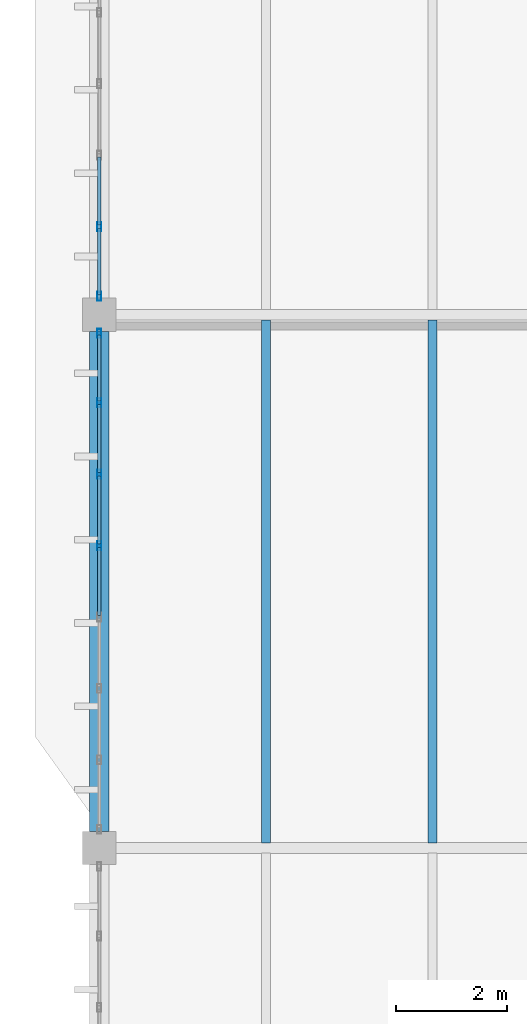
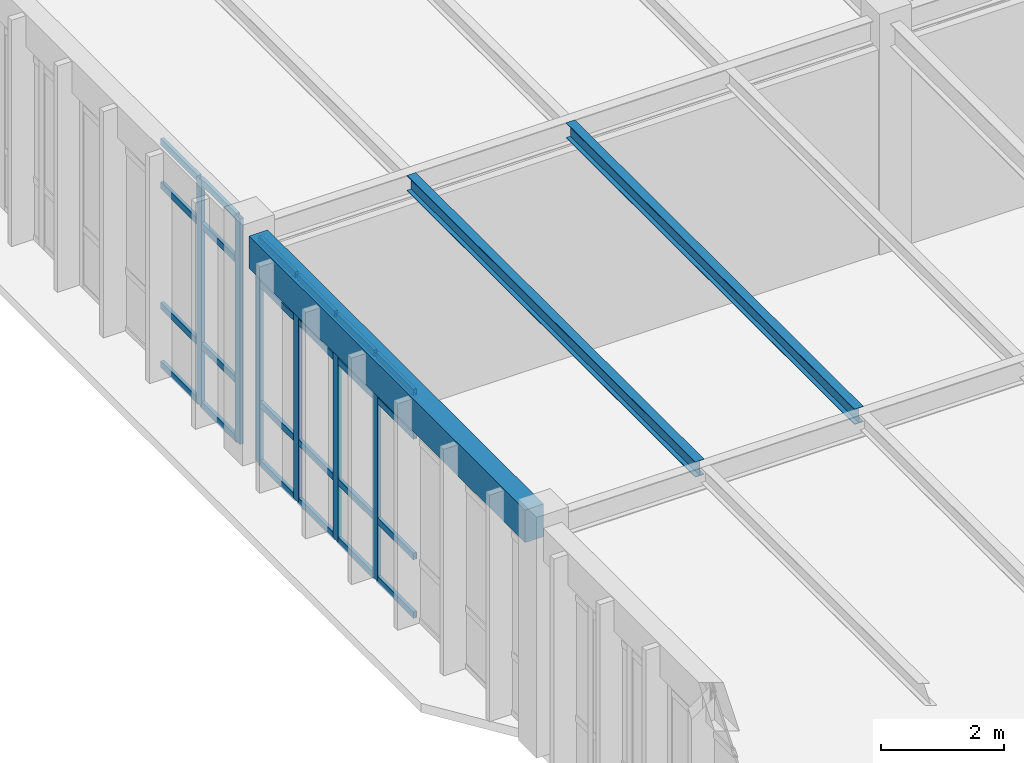
# One storey, part 118 of 236: 30 members, 3 beams, 2 elements without a shape of their own.
"""IFC4 building model written with IfcOpenShell, lengths in metres."""

from ifc_helpers import new_model, si_unit, direction, frame, origin, origin_2d, place, context, subcontext, project, spatial, rectangle, hollow_rectangle, i_section, extrude, material, layer, layer_set, material_profile, profile_set, type_object, element, aggregate, save


model = new_model("IFC4")

# Units and contexts
model_context = context("Model", 3, precision=1e-05, world=origin(), true_north=direction((0.0, 1.0)))
body_context = subcontext(model_context, "Body", "Model", "MODEL_VIEW")
ifc_project = project(units=[si_unit("LENGTHUNIT", "METRE"), si_unit("AREAUNIT", "SQUARE_METRE"), si_unit("VOLUMEUNIT", "CUBIC_METRE"), si_unit("PLANEANGLEUNIT", "RADIAN"), si_unit("MASSUNIT", "GRAM", prefix="KILO")], contexts=[model_context])

# Site, building, storey
site_placement = place(None, origin())
site = spatial("IfcSite", under=ifc_project, at=site_placement, CompositionType="ELEMENT")
building_placement = place(site_placement, origin())
building = spatial("IfcBuilding", under=site, at=building_placement, Name="Pandanus Reach Market Hall", CompositionType="ELEMENT")
storey_placement = place(building_placement, frame((0.0, 0.0, 5.39990234375)))
storey = spatial("IfcBuildingStorey", under=building, at=storey_placement, Name="L01", CompositionType="ELEMENT", Elevation=5.39990234375)

# Beam
ifc_material_1 = material(Name="Concrete N40 (40 MPa)", Category="concrete")
ifc_material_profile_1 = material_profile(ifc_material_1, rectangle(XDim=0.35009765625, YDim=0.64990234375, at=origin_2d()), Name="RC350x650", Category="LoadBearing")
ifc_profile_set_1 = profile_set([ifc_material_profile_1], Name="Concrete N40 (40 MPa)")
beam_type_1 = type_object("IfcBeamType", Name="BM-RC350-E", PredefinedType="SPANDREL", material=ifc_profile_set_1)
beam_placement = place(storey_placement, frame((144.0, 19.498046875, 4.215087890625), z_axis=(0.0, 1.0, 0.0), x_axis=(-1.0, 0.0, 0.0)))
element("IfcBeam", 1, at=beam_placement, inside=storey, type_object=beam_type_1, Name="Framing beam BM-RC350-E L01.337", PredefinedType="SPANDREL", context=body_context, shape_type="SweptSolid", body=[
    extrude(rectangle(XDim=0.35009765625, YDim=0.64990234375, at=origin_2d()), origin(), (0.0, 0.0, 1.0), 9.00390625),
])

# Curtain wall, members
ifc_material_2 = material(Name="Bronze anodised aluminium and low-E glass", Category="aluminium")
ifc_layer = layer(ifc_material_2, 0.159912109375, Name="CW-29")
ifc_layer_set = layer_set([ifc_layer], Name="Bronze anodised aluminium and low-E glass")
curtain_wall_type = type_object("IfcCurtainWallType", Name="CW-29", PredefinedType="NOTDEFINED", material=ifc_layer_set)
curtain_wall_1_placement = place(storey_placement, origin())
curtain_wall_1 = element("IfcCurtainWall", 2, at=curtain_wall_1_placement, inside=storey, type_object=curtain_wall_type, Name="Glazed curtain wall CW-29 CW-0092", PredefinedType="NOTDEFINED")
ifc_material_3 = material(Name="Bronze anodised aluminium", Category="aluminium")
ifc_material_profile_2 = material_profile(ifc_material_3, hollow_rectangle(XDim=0.06494140625, YDim=0.159912109375, WallThickness=0.00390625, at=origin_2d()), Name="ALU65x160", Category="LoadBearing")
ifc_profile_set_2 = profile_set([ifc_material_profile_2], Name="Bronze anodised aluminium")
member_type_1 = type_object("IfcMemberType", Name="CW-M1", PredefinedType="MULLION", material=ifc_profile_set_2)
member_1_placement = place(storey_placement, frame((144.0, 24.642822265625, 0.0), z_axis=(0.0, 0.0, 1.0), x_axis=(-1.0, 0.0, 0.0)))
member_1 = element("IfcMember", 3, at=member_1_placement, type_object=member_type_1, Name="CW-29 mullion 5", PredefinedType="MULLION", context=body_context, shape_type="SweptSolid", body=[
    extrude(hollow_rectangle(XDim=0.06494140625, YDim=0.159912109375, WallThickness=0.00390625, at=origin_2d()), origin(), (0.0, 0.0, 1.0), 4.5),
])
member_2_placement = place(storey_placement, frame((144.0, 25.928466796875, 0.0), z_axis=(0.0, 0.0, 1.0), x_axis=(-1.0, 0.0, 0.0)))
member_2 = element("IfcMember", 4, at=member_2_placement, type_object=member_type_1, Name="CW-29 mullion 6", PredefinedType="MULLION", context=body_context, shape_type="SweptSolid", body=[
    extrude(hollow_rectangle(XDim=0.06494140625, YDim=0.159912109375, WallThickness=0.00390625, at=origin_2d()), origin(), (0.0, 0.0, 1.0), 4.5),
])
member_3_placement = place(storey_placement, frame((144.0, 27.21435546875, 0.0), z_axis=(0.0, 0.0, 1.0), x_axis=(-1.0, 0.0, 0.0)))
member_3 = element("IfcMember", 5, at=member_3_placement, type_object=member_type_1, Name="CW-29 mullion 7", PredefinedType="MULLION", context=body_context, shape_type="SweptSolid", body=[
    extrude(hollow_rectangle(XDim=0.06494140625, YDim=0.159912109375, WallThickness=0.00390625, at=origin_2d()), origin(), (0.0, 0.0, 1.0), 4.5),
])
member_4_placement = place(storey_placement, frame((144.0, 28.467529296875, 0.0), z_axis=(0.0, 0.0, 1.0), x_axis=(-1.0, 0.0, 0.0)))
member_4 = element("IfcMember", 6, at=member_4_placement, type_object=member_type_1, Name="CW-29 mullion 8", PredefinedType="MULLION", context=body_context, shape_type="SweptSolid", body=[
    extrude(hollow_rectangle(XDim=0.06494140625, YDim=0.159912109375, WallThickness=0.00390625, at=origin_2d()), origin(), (0.0, 0.0, 1.0), 4.5),
])

curtain_wall_2_placement = place(storey_placement, origin())
curtain_wall_2 = element("IfcCurtainWall", 7, at=curtain_wall_2_placement, inside=storey, type_object=curtain_wall_type, Name="Glazed curtain wall CW-29 CW-0093", PredefinedType="NOTDEFINED")
member_5_placement = place(storey_placement, frame((144.0, 29.132568359375, 0.0), z_axis=(0.0, 0.0, 1.0), x_axis=(-1.0, 0.0, 0.0)))
member_5 = element("IfcMember", 8, at=member_5_placement, type_object=member_type_1, Name="CW-29 mullion 1", PredefinedType="MULLION", context=body_context, shape_type="SweptSolid", body=[
    extrude(hollow_rectangle(XDim=0.06494140625, YDim=0.159912109375, WallThickness=0.00390625, at=origin_2d()), origin(), (0.0, 0.0, 1.0), 4.5),
])
member_6_placement = place(storey_placement, frame((144.0, 30.3857421875, 0.0), z_axis=(0.0, 0.0, 1.0), x_axis=(-1.0, 0.0, 0.0)))
member_6 = element("IfcMember", 9, at=member_6_placement, type_object=member_type_1, Name="CW-29 mullion 2", PredefinedType="MULLION", context=body_context, shape_type="SweptSolid", body=[
    extrude(hollow_rectangle(XDim=0.06494140625, YDim=0.159912109375, WallThickness=0.00390625, at=origin_2d()), origin(), (0.0, 0.0, 1.0), 4.5),
])

# Member
ifc_material_profile_3 = material_profile(ifc_material_3, hollow_rectangle(XDim=0.06494140625, YDim=0.1298828125, WallThickness=0.00390625, at=origin_2d()), Name="ALU65x130", Category="LoadBearing")
ifc_profile_set_3 = profile_set([ifc_material_profile_3], Name="Bronze anodised aluminium")
member_type_2 = type_object("IfcMemberType", Name="CW-T1", PredefinedType="USERDEFINED", material=ifc_profile_set_3)
member_7_placement = place(storey_placement, frame((144.0, 23.3896484375, 0.03271484375), z_axis=(0.0, 1.0, 0.0), x_axis=(-1.0, 0.0, 0.0)))
member_7 = element("IfcMember", 10, at=member_7_placement, type_object=member_type_2, Name="CW-29 transom 4.1", ObjectType="TRANSOM", PredefinedType="USERDEFINED", context=body_context, shape_type="SweptSolid", body=[
    extrude(hollow_rectangle(XDim=0.06494140625, YDim=0.1298828125, WallThickness=0.00390625, at=origin_2d()), origin(), (0.0, 0.0, 1.0), 1.220703125),
])

member_8_placement = place(storey_placement, frame((144.0, 23.3896484375, 1.2001953125), z_axis=(0.0, 1.0, 0.0), x_axis=(-1.0, 0.0, 0.0)))
member_8 = element("IfcMember", 11, at=member_8_placement, type_object=member_type_2, Name="CW-29 transom 4.2", ObjectType="TRANSOM", PredefinedType="USERDEFINED", context=body_context, shape_type="SweptSolid", body=[
    extrude(hollow_rectangle(XDim=0.06494140625, YDim=0.1298828125, WallThickness=0.00390625, at=origin_2d()), origin(), (0.0, 0.0, 1.0), 1.220703125),
])

member_9_placement = place(storey_placement, frame((144.0, 23.3896484375, 3.60009765625), z_axis=(0.0, 1.0, 0.0), x_axis=(-1.0, 0.0, 0.0)))
member_9 = element("IfcMember", 12, at=member_9_placement, type_object=member_type_2, Name="CW-29 transom 4.3", ObjectType="TRANSOM", PredefinedType="USERDEFINED", context=body_context, shape_type="SweptSolid", body=[
    extrude(hollow_rectangle(XDim=0.06494140625, YDim=0.1298828125, WallThickness=0.00390625, at=origin_2d()), origin(), (0.0, 0.0, 1.0), 1.220703125),
])

member_10_placement = place(storey_placement, frame((144.0, 23.3896484375, 4.467529296875), z_axis=(0.0, 1.0, 0.0), x_axis=(-1.0, 0.0, 0.0)))
member_10 = element("IfcMember", 13, at=member_10_placement, type_object=member_type_2, Name="CW-29 transom 4.4", ObjectType="TRANSOM", PredefinedType="USERDEFINED", context=body_context, shape_type="SweptSolid", body=[
    extrude(hollow_rectangle(XDim=0.06494140625, YDim=0.1298828125, WallThickness=0.00390625, at=origin_2d()), origin(), (0.0, 0.0, 1.0), 1.220703125),
])

member_11_placement = place(storey_placement, frame((144.0, 24.67529296875, 0.03271484375), z_axis=(0.0, 1.0, 0.0), x_axis=(-1.0, 0.0, 0.0)))
member_11 = element("IfcMember", 14, at=member_11_placement, type_object=member_type_2, Name="CW-29 transom 5.1", ObjectType="TRANSOM", PredefinedType="USERDEFINED", context=body_context, shape_type="SweptSolid", body=[
    extrude(hollow_rectangle(XDim=0.06494140625, YDim=0.1298828125, WallThickness=0.00390625, at=origin_2d()), origin(), (0.0, 0.0, 1.0), 1.220703125),
])

member_12_placement = place(storey_placement, frame((144.0, 24.67529296875, 1.2001953125), z_axis=(0.0, 1.0, 0.0), x_axis=(-1.0, 0.0, 0.0)))
member_12 = element("IfcMember", 15, at=member_12_placement, type_object=member_type_2, Name="CW-29 transom 5.2", ObjectType="TRANSOM", PredefinedType="USERDEFINED", context=body_context, shape_type="SweptSolid", body=[
    extrude(hollow_rectangle(XDim=0.06494140625, YDim=0.1298828125, WallThickness=0.00390625, at=origin_2d()), origin(), (0.0, 0.0, 1.0), 1.220703125),
])

member_13_placement = place(storey_placement, frame((144.0, 24.67529296875, 3.60009765625), z_axis=(0.0, 1.0, 0.0), x_axis=(-1.0, 0.0, 0.0)))
member_13 = element("IfcMember", 16, at=member_13_placement, type_object=member_type_2, Name="CW-29 transom 5.3", ObjectType="TRANSOM", PredefinedType="USERDEFINED", context=body_context, shape_type="SweptSolid", body=[
    extrude(hollow_rectangle(XDim=0.06494140625, YDim=0.1298828125, WallThickness=0.00390625, at=origin_2d()), origin(), (0.0, 0.0, 1.0), 1.220703125),
])

member_14_placement = place(storey_placement, frame((144.0, 24.67529296875, 4.467529296875), z_axis=(0.0, 1.0, 0.0), x_axis=(-1.0, 0.0, 0.0)))
member_14 = element("IfcMember", 17, at=member_14_placement, type_object=member_type_2, Name="CW-29 transom 5.4", ObjectType="TRANSOM", PredefinedType="USERDEFINED", context=body_context, shape_type="SweptSolid", body=[
    extrude(hollow_rectangle(XDim=0.06494140625, YDim=0.1298828125, WallThickness=0.00390625, at=origin_2d()), origin(), (0.0, 0.0, 1.0), 1.220703125),
])

member_15_placement = place(storey_placement, frame((144.0, 25.961181640625, 0.03271484375), z_axis=(0.0, 1.0, 0.0), x_axis=(-1.0, 0.0, 0.0)))
member_15 = element("IfcMember", 18, at=member_15_placement, type_object=member_type_2, Name="CW-29 transom 6.1", ObjectType="TRANSOM", PredefinedType="USERDEFINED", context=body_context, shape_type="SweptSolid", body=[
    extrude(hollow_rectangle(XDim=0.06494140625, YDim=0.1298828125, WallThickness=0.00390625, at=origin_2d()), origin(), (0.0, 0.0, 1.0), 1.220703125),
])

member_16_placement = place(storey_placement, frame((144.0, 25.961181640625, 1.2001953125), z_axis=(0.0, 1.0, 0.0), x_axis=(-1.0, 0.0, 0.0)))
member_16 = element("IfcMember", 19, at=member_16_placement, type_object=member_type_2, Name="CW-29 transom 6.2", ObjectType="TRANSOM", PredefinedType="USERDEFINED", context=body_context, shape_type="SweptSolid", body=[
    extrude(hollow_rectangle(XDim=0.06494140625, YDim=0.1298828125, WallThickness=0.00390625, at=origin_2d()), origin(), (0.0, 0.0, 1.0), 1.220703125),
])

member_17_placement = place(storey_placement, frame((144.0, 25.961181640625, 3.60009765625), z_axis=(0.0, 1.0, 0.0), x_axis=(-1.0, 0.0, 0.0)))
member_17 = element("IfcMember", 20, at=member_17_placement, type_object=member_type_2, Name="CW-29 transom 6.3", ObjectType="TRANSOM", PredefinedType="USERDEFINED", context=body_context, shape_type="SweptSolid", body=[
    extrude(hollow_rectangle(XDim=0.06494140625, YDim=0.1298828125, WallThickness=0.00390625, at=origin_2d()), origin(), (0.0, 0.0, 1.0), 1.220703125),
])

member_18_placement = place(storey_placement, frame((144.0, 25.961181640625, 4.467529296875), z_axis=(0.0, 1.0, 0.0), x_axis=(-1.0, 0.0, 0.0)))
member_18 = element("IfcMember", 21, at=member_18_placement, type_object=member_type_2, Name="CW-29 transom 6.4", ObjectType="TRANSOM", PredefinedType="USERDEFINED", context=body_context, shape_type="SweptSolid", body=[
    extrude(hollow_rectangle(XDim=0.06494140625, YDim=0.1298828125, WallThickness=0.00390625, at=origin_2d()), origin(), (0.0, 0.0, 1.0), 1.220703125),
])

member_19_placement = place(storey_placement, frame((144.0, 27.246826171875, 0.03271484375), z_axis=(0.0, 1.0, 0.0), x_axis=(-1.0, 0.0, 0.0)))
member_19 = element("IfcMember", 22, at=member_19_placement, type_object=member_type_2, Name="CW-29 transom 7.1", ObjectType="TRANSOM", PredefinedType="USERDEFINED", context=body_context, shape_type="SweptSolid", body=[
    extrude(hollow_rectangle(XDim=0.06494140625, YDim=0.1298828125, WallThickness=0.00390625, at=origin_2d()), origin(), (0.0, 0.0, 1.0), 1.188232421875),
])

member_20_placement = place(storey_placement, frame((144.0, 27.246826171875, 1.2001953125), z_axis=(0.0, 1.0, 0.0), x_axis=(-1.0, 0.0, 0.0)))
member_20 = element("IfcMember", 23, at=member_20_placement, type_object=member_type_2, Name="CW-29 transom 7.2", ObjectType="TRANSOM", PredefinedType="USERDEFINED", context=body_context, shape_type="SweptSolid", body=[
    extrude(hollow_rectangle(XDim=0.06494140625, YDim=0.1298828125, WallThickness=0.00390625, at=origin_2d()), origin(), (0.0, 0.0, 1.0), 1.188232421875),
])

member_21_placement = place(storey_placement, frame((144.0, 27.246826171875, 3.60009765625), z_axis=(0.0, 1.0, 0.0), x_axis=(-1.0, 0.0, 0.0)))
member_21 = element("IfcMember", 24, at=member_21_placement, type_object=member_type_2, Name="CW-29 transom 7.3", ObjectType="TRANSOM", PredefinedType="USERDEFINED", context=body_context, shape_type="SweptSolid", body=[
    extrude(hollow_rectangle(XDim=0.06494140625, YDim=0.1298828125, WallThickness=0.00390625, at=origin_2d()), origin(), (0.0, 0.0, 1.0), 1.188232421875),
])

member_22_placement = place(storey_placement, frame((144.0, 27.246826171875, 4.467529296875), z_axis=(0.0, 1.0, 0.0), x_axis=(-1.0, 0.0, 0.0)))
member_22 = element("IfcMember", 25, at=member_22_placement, type_object=member_type_2, Name="CW-29 transom 7.4", ObjectType="TRANSOM", PredefinedType="USERDEFINED", context=body_context, shape_type="SweptSolid", body=[
    extrude(hollow_rectangle(XDim=0.06494140625, YDim=0.1298828125, WallThickness=0.00390625, at=origin_2d()), origin(), (0.0, 0.0, 1.0), 1.188232421875),
])

aggregate(curtain_wall_1, [member_1, member_2, member_3, member_4, member_7, member_8, member_9, member_10, member_11, member_12, member_13, member_14, member_15, member_16, member_17, member_18, member_19, member_20, member_21, member_22])

member_23_placement = place(storey_placement, frame((144.0, 29.1650390625, 0.03271484375), z_axis=(0.0, 1.0, 0.0), x_axis=(-1.0, 0.0, 0.0)))
member_23 = element("IfcMember", 26, at=member_23_placement, type_object=member_type_2, Name="CW-29 transom 1.1", ObjectType="TRANSOM", PredefinedType="USERDEFINED", context=body_context, shape_type="SweptSolid", body=[
    extrude(hollow_rectangle(XDim=0.06494140625, YDim=0.1298828125, WallThickness=0.00390625, at=origin_2d()), origin(), (0.0, 0.0, 1.0), 1.188232421875),
])

member_24_placement = place(storey_placement, frame((144.0, 29.1650390625, 1.2001953125), z_axis=(0.0, 1.0, 0.0), x_axis=(-1.0, 0.0, 0.0)))
member_24 = element("IfcMember", 27, at=member_24_placement, type_object=member_type_2, Name="CW-29 transom 1.2", ObjectType="TRANSOM", PredefinedType="USERDEFINED", context=body_context, shape_type="SweptSolid", body=[
    extrude(hollow_rectangle(XDim=0.06494140625, YDim=0.1298828125, WallThickness=0.00390625, at=origin_2d()), origin(), (0.0, 0.0, 1.0), 1.188232421875),
])

member_25_placement = place(storey_placement, frame((144.0, 29.1650390625, 3.60009765625), z_axis=(0.0, 1.0, 0.0), x_axis=(-1.0, 0.0, 0.0)))
member_25 = element("IfcMember", 28, at=member_25_placement, type_object=member_type_2, Name="CW-29 transom 1.3", ObjectType="TRANSOM", PredefinedType="USERDEFINED", context=body_context, shape_type="SweptSolid", body=[
    extrude(hollow_rectangle(XDim=0.06494140625, YDim=0.1298828125, WallThickness=0.00390625, at=origin_2d()), origin(), (0.0, 0.0, 1.0), 1.188232421875),
])

member_26_placement = place(storey_placement, frame((144.0, 29.1650390625, 4.467529296875), z_axis=(0.0, 1.0, 0.0), x_axis=(-1.0, 0.0, 0.0)))
member_26 = element("IfcMember", 29, at=member_26_placement, type_object=member_type_2, Name="CW-29 transom 1.4", ObjectType="TRANSOM", PredefinedType="USERDEFINED", context=body_context, shape_type="SweptSolid", body=[
    extrude(hollow_rectangle(XDim=0.06494140625, YDim=0.1298828125, WallThickness=0.00390625, at=origin_2d()), origin(), (0.0, 0.0, 1.0), 1.188232421875),
])

member_27_placement = place(storey_placement, frame((144.0, 30.418212890625, 0.03271484375), z_axis=(0.0, 1.0, 0.0), x_axis=(-1.0, 0.0, 0.0)))
member_27 = element("IfcMember", 30, at=member_27_placement, type_object=member_type_2, Name="CW-29 transom 2.1", ObjectType="TRANSOM", PredefinedType="USERDEFINED", context=body_context, shape_type="SweptSolid", body=[
    extrude(hollow_rectangle(XDim=0.06494140625, YDim=0.1298828125, WallThickness=0.00390625, at=origin_2d()), origin(), (0.0, 0.0, 1.0), 1.220703125),
])

member_28_placement = place(storey_placement, frame((144.0, 30.418212890625, 1.2001953125), z_axis=(0.0, 1.0, 0.0), x_axis=(-1.0, 0.0, 0.0)))
member_28 = element("IfcMember", 31, at=member_28_placement, type_object=member_type_2, Name="CW-29 transom 2.2", ObjectType="TRANSOM", PredefinedType="USERDEFINED", context=body_context, shape_type="SweptSolid", body=[
    extrude(hollow_rectangle(XDim=0.06494140625, YDim=0.1298828125, WallThickness=0.00390625, at=origin_2d()), origin(), (0.0, 0.0, 1.0), 1.220703125),
])

member_29_placement = place(storey_placement, frame((144.0, 30.418212890625, 3.60009765625), z_axis=(0.0, 1.0, 0.0), x_axis=(-1.0, 0.0, 0.0)))
member_29 = element("IfcMember", 32, at=member_29_placement, type_object=member_type_2, Name="CW-29 transom 2.3", ObjectType="TRANSOM", PredefinedType="USERDEFINED", context=body_context, shape_type="SweptSolid", body=[
    extrude(hollow_rectangle(XDim=0.06494140625, YDim=0.1298828125, WallThickness=0.00390625, at=origin_2d()), origin(), (0.0, 0.0, 1.0), 1.220703125),
])

member_30_placement = place(storey_placement, frame((144.0, 30.418212890625, 4.467529296875), z_axis=(0.0, 1.0, 0.0), x_axis=(-1.0, 0.0, 0.0)))
member_30 = element("IfcMember", 33, at=member_30_placement, type_object=member_type_2, Name="CW-29 transom 2.4", ObjectType="TRANSOM", PredefinedType="USERDEFINED", context=body_context, shape_type="SweptSolid", body=[
    extrude(hollow_rectangle(XDim=0.06494140625, YDim=0.1298828125, WallThickness=0.00390625, at=origin_2d()), origin(), (0.0, 0.0, 1.0), 1.220703125),
])

aggregate(curtain_wall_2, [member_5, member_6, member_23, member_24, member_25, member_26, member_27, member_28, member_29, member_30])

# Beams
ifc_material_4 = material(Name="Steel Grade 350 (350 MPa)", Category="steel")
ifc_material_profile_4 = material_profile(ifc_material_4, i_section(OverallWidth=0.166015625, OverallDepth=0.306884765625, WebThickness=0.006591796875, FlangeThickness=0.01171875, at=origin_2d()), Name="310UB46.2", Category="LoadBearing")
ifc_profile_set_4 = profile_set([ifc_material_profile_4], Name="Steel Grade 350 (350 MPa)")
beam_type_2 = type_object("IfcBeamType", Name="JS-UB310H-I", PredefinedType="JOIST", material=ifc_profile_set_4)
for number, where, z_axis, x_axis, name in (
    (34, (147.0, 19.29296875, 4.38623046875), (0.0, 1.0, 0.0), (-1.0, 0.0, 0.0), "Secondary joist JS-UB310H-I L01.375"),
    (35, (150.0, 19.29296875, 4.38623046875), (0.0, 1.0, 0.0), (-1.0, 0.0, 0.0), "Secondary joist JS-UB310H-I L01.376"),
):
    element("IfcBeam", number, at=place(storey_placement, frame(where, z_axis=z_axis, x_axis=x_axis)), inside=storey, type_object=beam_type_2, Name=name, PredefinedType="JOIST", context=body_context, shape_type="SweptSolid", body=[
        extrude(i_section(OverallWidth=0.166015625, OverallDepth=0.306884765625, WebThickness=0.006591796875, FlangeThickness=0.01171875, at=origin_2d()), origin(), (0.0, 0.0, 1.0), 9.4140625),
    ])

save(model, "model.ifc")
